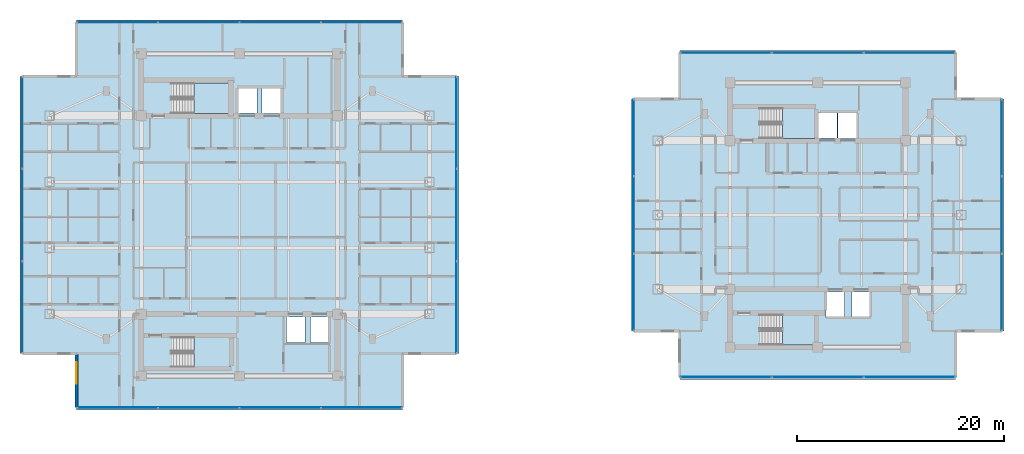
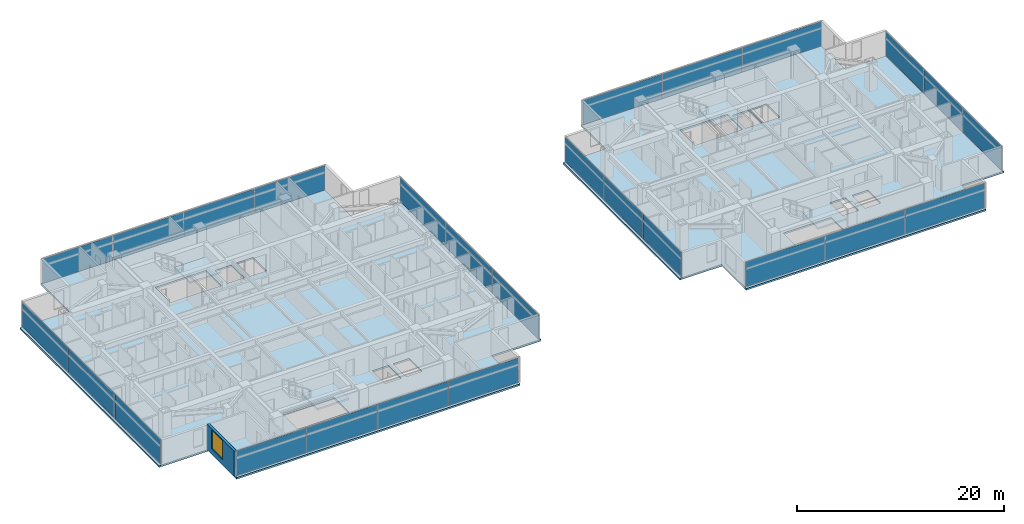
# One storey, part 12 of 26: 26 plates, 6 slabs, 1 wall, 1 window, 1 opening, 12 elements without a shape of their own.
"""IFC4 building model written with IfcOpenShell, lengths in metres."""

from ifc_helpers import new_model, si_unit, direction, frame, frame_2d, origin, origin_2d, place, context, subcontext, project, spatial, polyline, rectangle, outline, extrude, material, layer, layer_set, type_object, element, fill, aggregate, save


model = new_model("IFC4")

# Units and contexts
model_context = context("Model", 3, precision=1e-05, world=origin(), true_north=direction((0.0, 1.0)))
body_context = subcontext(model_context, "Body", "Model", "MODEL_VIEW")
ifc_project = project(units=[si_unit("LENGTHUNIT", "METRE"), si_unit("AREAUNIT", "SQUARE_METRE"), si_unit("VOLUMEUNIT", "CUBIC_METRE"), si_unit("PLANEANGLEUNIT", "RADIAN"), si_unit("MASSUNIT", "GRAM", prefix="KILO")], contexts=[model_context])

# Site, building, storey
site_placement = place(None, origin())
site = spatial("IfcSite", under=ifc_project, at=site_placement, CompositionType="ELEMENT")
building_placement = place(site_placement, origin())
building = spatial("IfcBuilding", under=site, at=building_placement, Name="Mirazonda Arch Towers", CompositionType="ELEMENT")
storey_placement = place(building_placement, frame((0.0, 0.0, 170.64990234375)))
storey = spatial("IfcBuildingStorey", under=building, at=storey_placement, Name="L48", CompositionType="ELEMENT", Elevation=170.64990234375)

# Curtain wall, plates
ifc_material_1 = material(Name="Anodised Aluminium and Low-E Glass", Category="aluminium")
curtain_wall_type = type_object("IfcCurtainWallType", Name="CW-RES-UNIT", PredefinedType="NOTDEFINED", material=ifc_material_1)
curtain_wall_1_placement = place(storey_placement, origin())
curtain_wall_1 = element("IfcCurtainWall", 1, at=curtain_wall_1_placement, inside=storey, type_object=curtain_wall_type, Name="L48 T1 S Facade CW-L48-T1-S", PredefinedType="NOTDEFINED")
ifc_material_2 = material(Name="Insulated Low-E Solar Glass", Category="glass")
ifc_layer_1 = layer(ifc_material_2, 0.0400390625, Name="PAN-CW-RES-UNIT")
ifc_layer_set_1 = layer_set([ifc_layer_1], Name="Insulated Low-E Solar Glass")
plate_type = type_object("IfcPlateType", Name="PAN-CW-RES-UNIT", PredefinedType="CURTAIN_PANEL", material=ifc_layer_set_1)
plate_1_placement = place(storey_placement, frame((32.320068359375, 9.340087890625, 0.0751953125), z_axis=(0.0, 0.0, 1.0), x_axis=(-1.0, 0.0, 0.0)))
plate_1 = element("IfcPlate", 2, at=plate_1_placement, type_object=plate_type, Name="CW-104 panel 1.1", PredefinedType="CURTAIN_PANEL", context=body_context, shape_type="SweptSolid", body=[
    extrude(rectangle(XDim=7.780029296875, YDim=0.0400390625, at=origin_2d()), origin(), (0.0, 0.0, 1.0), 2.8798828125),
])
plate_2_placement = place(storey_placement, frame((24.4462890625, 9.340087890625, 0.0751953125), z_axis=(0.0, 0.0, 1.0), x_axis=(-1.0, 0.0, 0.0)))
plate_2 = element("IfcPlate", 3, at=plate_2_placement, type_object=plate_type, Name="CW-104 panel 2.1", PredefinedType="CURTAIN_PANEL", context=body_context, shape_type="SweptSolid", body=[
    extrude(rectangle(XDim=7.8173828125, YDim=0.0400390625, at=origin_2d()), origin(), (0.0, 0.0, 1.0), 2.8798828125),
])
plate_3_placement = place(storey_placement, frame((16.5537109375, 9.340087890625, 0.0751953125), z_axis=(0.0, 0.0, 1.0), x_axis=(-1.0, 0.0, 0.0)))
plate_3 = element("IfcPlate", 4, at=plate_3_placement, type_object=plate_type, Name="CW-104 panel 3.1", PredefinedType="CURTAIN_PANEL", context=body_context, shape_type="SweptSolid", body=[
    extrude(rectangle(XDim=7.8173828125, YDim=0.0400390625, at=origin_2d()), origin(), (0.0, 0.0, 1.0), 2.8798828125),
])
plate_4_placement = place(storey_placement, frame((8.679931640625, 9.340087890625, 0.0751953125), z_axis=(0.0, 0.0, 1.0), x_axis=(-1.0, 0.0, 0.0)))
plate_4 = element("IfcPlate", 5, at=plate_4_placement, type_object=plate_type, Name="CW-104 panel 4.1", PredefinedType="CURTAIN_PANEL", context=body_context, shape_type="SweptSolid", body=[
    extrude(rectangle(XDim=7.780029296875, YDim=0.0400390625, at=origin_2d()), origin(), (0.0, 0.0, 1.0), 2.8798828125),
])
aggregate(curtain_wall_1, [plate_1, plate_2, plate_3, plate_4])

curtain_wall_2_placement = place(storey_placement, origin())
curtain_wall_2 = element("IfcCurtainWall", 6, at=curtain_wall_2_placement, inside=storey, type_object=curtain_wall_type, Name="L48 T1 E Facade CW-L48-T1-E", PredefinedType="NOTDEFINED")
plate_5_placement = place(storey_placement, frame((41.530029296875, 19.075439453125, 0.0751953125), z_axis=(0.0, 0.0, 1.0), x_axis=(0.0, 1.0, 0.0)))
plate_5 = element("IfcPlate", 7, at=plate_5_placement, type_object=plate_type, Name="CW-104 panel 1.1", PredefinedType="CURTAIN_PANEL", context=body_context, shape_type="SweptSolid", body=[
    extrude(rectangle(XDim=8.830810546875, YDim=0.0400390625, at=origin_2d()), origin(), (0.0, 0.0, 1.0), 2.8798828125),
])
plate_6_placement = place(storey_placement, frame((41.530029296875, 28.0, 0.0751953125), z_axis=(0.0, 0.0, 1.0), x_axis=(0.0, 1.0, 0.0)))
plate_6 = element("IfcPlate", 8, at=plate_6_placement, type_object=plate_type, Name="CW-104 panel 2.1", PredefinedType="CURTAIN_PANEL", context=body_context, shape_type="SweptSolid", body=[
    extrude(rectangle(XDim=8.868408203125, YDim=0.0400390625, at=origin_2d()), origin(), (0.0, 0.0, 1.0), 2.8798828125),
])
plate_7_placement = place(storey_placement, frame((41.530029296875, 36.924560546875, 0.0751953125), z_axis=(0.0, 0.0, 1.0), x_axis=(0.0, 1.0, 0.0)))
plate_7 = element("IfcPlate", 9, at=plate_7_placement, type_object=plate_type, Name="CW-104 panel 3.1", PredefinedType="CURTAIN_PANEL", context=body_context, shape_type="SweptSolid", body=[
    extrude(rectangle(XDim=8.830810546875, YDim=0.0400390625, at=origin_2d()), origin(), (0.0, 0.0, 1.0), 2.8798828125),
])
aggregate(curtain_wall_2, [plate_5, plate_6, plate_7])

curtain_wall_3_placement = place(storey_placement, origin())
curtain_wall_3 = element("IfcCurtainWall", 10, at=curtain_wall_3_placement, inside=storey, type_object=curtain_wall_type, Name="L48 T1 N Facade CW-L48-T1-N", PredefinedType="NOTDEFINED")
plate_8_placement = place(storey_placement, frame((8.679931640625, 46.659912109375, 0.0751953125), z_axis=(0.0, 0.0, 1.0), x_axis=(1.0, 0.0, 0.0)))
plate_8 = element("IfcPlate", 11, at=plate_8_placement, type_object=plate_type, Name="CW-104 panel 1.1", PredefinedType="CURTAIN_PANEL", context=body_context, shape_type="SweptSolid", body=[
    extrude(rectangle(XDim=7.780029296875, YDim=0.0400390625, at=origin_2d()), origin(), (0.0, 0.0, 1.0), 2.8798828125),
])
plate_9_placement = place(storey_placement, frame((16.5537109375, 46.659912109375, 0.0751953125), z_axis=(0.0, 0.0, 1.0), x_axis=(1.0, 0.0, 0.0)))
plate_9 = element("IfcPlate", 12, at=plate_9_placement, type_object=plate_type, Name="CW-104 panel 2.1", PredefinedType="CURTAIN_PANEL", context=body_context, shape_type="SweptSolid", body=[
    extrude(rectangle(XDim=7.8173828125, YDim=0.0400390625, at=origin_2d()), origin(), (0.0, 0.0, 1.0), 2.8798828125),
])
plate_10_placement = place(storey_placement, frame((24.4462890625, 46.659912109375, 0.0751953125), z_axis=(0.0, 0.0, 1.0), x_axis=(1.0, 0.0, 0.0)))
plate_10 = element("IfcPlate", 13, at=plate_10_placement, type_object=plate_type, Name="CW-104 panel 3.1", PredefinedType="CURTAIN_PANEL", context=body_context, shape_type="SweptSolid", body=[
    extrude(rectangle(XDim=7.8173828125, YDim=0.0400390625, at=origin_2d()), origin(), (0.0, 0.0, 1.0), 2.8798828125),
])
plate_11_placement = place(storey_placement, frame((32.320068359375, 46.659912109375, 0.0751953125), z_axis=(0.0, 0.0, 1.0), x_axis=(1.0, 0.0, 0.0)))
plate_11 = element("IfcPlate", 14, at=plate_11_placement, type_object=plate_type, Name="CW-104 panel 4.1", PredefinedType="CURTAIN_PANEL", context=body_context, shape_type="SweptSolid", body=[
    extrude(rectangle(XDim=7.780029296875, YDim=0.0400390625, at=origin_2d()), origin(), (0.0, 0.0, 1.0), 2.8798828125),
])
aggregate(curtain_wall_3, [plate_8, plate_9, plate_10, plate_11])

curtain_wall_4_placement = place(storey_placement, origin())
curtain_wall_4 = element("IfcCurtainWall", 15, at=curtain_wall_4_placement, inside=storey, type_object=curtain_wall_type, Name="L48 T1 W Facade CW-L48-T1-W", PredefinedType="NOTDEFINED")
plate_12_placement = place(storey_placement, frame((-0.530029296875, 36.924560546875, 0.0751953125), z_axis=(0.0, 0.0, 1.0), x_axis=(0.0, -1.0, 0.0)))
plate_12 = element("IfcPlate", 16, at=plate_12_placement, type_object=plate_type, Name="CW-104 panel 1.1", PredefinedType="CURTAIN_PANEL", context=body_context, shape_type="SweptSolid", body=[
    extrude(rectangle(XDim=8.830810546875, YDim=0.0400390625, at=origin_2d()), origin(), (0.0, 0.0, 1.0), 2.8798828125),
])
plate_13_placement = place(storey_placement, frame((-0.530029296875, 28.0, 0.0751953125), z_axis=(0.0, 0.0, 1.0), x_axis=(0.0, -1.0, 0.0)))
plate_13 = element("IfcPlate", 17, at=plate_13_placement, type_object=plate_type, Name="CW-104 panel 2.1", PredefinedType="CURTAIN_PANEL", context=body_context, shape_type="SweptSolid", body=[
    extrude(rectangle(XDim=8.868408203125, YDim=0.0400390625, at=origin_2d()), origin(), (0.0, 0.0, 1.0), 2.8798828125),
])
plate_14_placement = place(storey_placement, frame((-0.530029296875, 19.075439453125, 0.0751953125), z_axis=(0.0, 0.0, 1.0), x_axis=(0.0, -1.0, 0.0)))
plate_14 = element("IfcPlate", 18, at=plate_14_placement, type_object=plate_type, Name="CW-104 panel 3.1", PredefinedType="CURTAIN_PANEL", context=body_context, shape_type="SweptSolid", body=[
    extrude(rectangle(XDim=8.830810546875, YDim=0.0400390625, at=origin_2d()), origin(), (0.0, 0.0, 1.0), 2.8798828125),
])
aggregate(curtain_wall_4, [plate_12, plate_13, plate_14])

curtain_wall_5_placement = place(storey_placement, origin())
curtain_wall_5 = element("IfcCurtainWall", 19, at=curtain_wall_5_placement, inside=storey, type_object=curtain_wall_type, Name="L48 T2 S Facade CW-L48-T2-S", PredefinedType="NOTDEFINED")
plate_15_placement = place(storey_placement, frame((85.38623046875, 12.2919921875, 0.0751953125), z_axis=(0.0, 0.0, 1.0), x_axis=(-1.0, 0.0, 0.0)))
plate_15 = element("IfcPlate", 20, at=plate_15_placement, type_object=plate_type, Name="CW-104 panel 1.1", PredefinedType="CURTAIN_PANEL", context=body_context, shape_type="SweptSolid", body=[
    extrude(rectangle(XDim=8.79248046875, YDim=0.0400390625, at=origin_2d()), origin(), (0.0, 0.0, 1.0), 2.8798828125),
])
plate_16_placement = place(storey_placement, frame((76.5, 12.2919921875, 0.0751953125), z_axis=(0.0, 0.0, 1.0), x_axis=(-1.0, 0.0, 0.0)))
plate_16 = element("IfcPlate", 21, at=plate_16_placement, type_object=plate_type, Name="CW-104 panel 2.1", PredefinedType="CURTAIN_PANEL", context=body_context, shape_type="SweptSolid", body=[
    extrude(rectangle(XDim=8.829833984375, YDim=0.0400390625, at=origin_2d()), origin(), (0.0, 0.0, 1.0), 2.8798828125),
])
plate_17_placement = place(storey_placement, frame((67.61376953125, 12.2919921875, 0.0751953125), z_axis=(0.0, 0.0, 1.0), x_axis=(-1.0, 0.0, 0.0)))
plate_17 = element("IfcPlate", 22, at=plate_17_placement, type_object=plate_type, Name="CW-104 panel 3.1", PredefinedType="CURTAIN_PANEL", context=body_context, shape_type="SweptSolid", body=[
    extrude(rectangle(XDim=8.79248046875, YDim=0.0400390625, at=origin_2d()), origin(), (0.0, 0.0, 1.0), 2.8798828125),
])
aggregate(curtain_wall_5, [plate_15, plate_16, plate_17])

curtain_wall_6_placement = place(storey_placement, origin())
curtain_wall_6 = element("IfcCurtainWall", 23, at=curtain_wall_6_placement, inside=storey, type_object=curtain_wall_type, Name="L48 T2 E Facade CW-L48-T2-E", PredefinedType="NOTDEFINED")
plate_18_placement = place(storey_placement, frame((94.322509765625, 20.5234375, 0.0751953125), z_axis=(0.0, 0.0, 1.0), x_axis=(0.0, 1.0, 0.0)))
plate_18 = element("IfcPlate", 24, at=plate_18_placement, type_object=plate_type, Name="CW-104 panel 1.1", PredefinedType="CURTAIN_PANEL", context=body_context, shape_type="SweptSolid", body=[
    extrude(rectangle(XDim=7.3828125, YDim=0.0400390625, at=origin_2d()), origin(), (0.0, 0.0, 1.0), 2.8798828125),
])
plate_19_placement = place(storey_placement, frame((94.322509765625, 28.0, 0.0751953125), z_axis=(0.0, 0.0, 1.0), x_axis=(0.0, 1.0, 0.0)))
plate_19 = element("IfcPlate", 25, at=plate_19_placement, type_object=plate_type, Name="CW-104 panel 2.1", PredefinedType="CURTAIN_PANEL", context=body_context, shape_type="SweptSolid", body=[
    extrude(rectangle(XDim=7.420166015625, YDim=0.0400390625, at=origin_2d()), origin(), (0.0, 0.0, 1.0), 2.8798828125),
])
plate_20_placement = place(storey_placement, frame((94.322509765625, 35.4765625, 0.0751953125), z_axis=(0.0, 0.0, 1.0), x_axis=(0.0, 1.0, 0.0)))
plate_20 = element("IfcPlate", 26, at=plate_20_placement, type_object=plate_type, Name="CW-104 panel 3.1", PredefinedType="CURTAIN_PANEL", context=body_context, shape_type="SweptSolid", body=[
    extrude(rectangle(XDim=7.3828125, YDim=0.0400390625, at=origin_2d()), origin(), (0.0, 0.0, 1.0), 2.8798828125),
])
aggregate(curtain_wall_6, [plate_18, plate_19, plate_20])

curtain_wall_7_placement = place(storey_placement, origin())
curtain_wall_7 = element("IfcCurtainWall", 27, at=curtain_wall_7_placement, inside=storey, type_object=curtain_wall_type, Name="L48 T2 N Facade CW-L48-T2-N", PredefinedType="NOTDEFINED")
plate_21_placement = place(storey_placement, frame((67.61376953125, 43.7080078125, 0.0751953125), z_axis=(0.0, 0.0, 1.0), x_axis=(1.0, 0.0, 0.0)))
plate_21 = element("IfcPlate", 28, at=plate_21_placement, type_object=plate_type, Name="CW-104 panel 1.1", PredefinedType="CURTAIN_PANEL", context=body_context, shape_type="SweptSolid", body=[
    extrude(rectangle(XDim=8.79248046875, YDim=0.0400390625, at=origin_2d()), origin(), (0.0, 0.0, 1.0), 2.8798828125),
])
plate_22_placement = place(storey_placement, frame((76.5, 43.7080078125, 0.0751953125), z_axis=(0.0, 0.0, 1.0), x_axis=(1.0, 0.0, 0.0)))
plate_22 = element("IfcPlate", 29, at=plate_22_placement, type_object=plate_type, Name="CW-104 panel 2.1", PredefinedType="CURTAIN_PANEL", context=body_context, shape_type="SweptSolid", body=[
    extrude(rectangle(XDim=8.829833984375, YDim=0.0400390625, at=origin_2d()), origin(), (0.0, 0.0, 1.0), 2.8798828125),
])
plate_23_placement = place(storey_placement, frame((85.38623046875, 43.7080078125, 0.0751953125), z_axis=(0.0, 0.0, 1.0), x_axis=(1.0, 0.0, 0.0)))
plate_23 = element("IfcPlate", 30, at=plate_23_placement, type_object=plate_type, Name="CW-104 panel 3.1", PredefinedType="CURTAIN_PANEL", context=body_context, shape_type="SweptSolid", body=[
    extrude(rectangle(XDim=8.79248046875, YDim=0.0400390625, at=origin_2d()), origin(), (0.0, 0.0, 1.0), 2.8798828125),
])
aggregate(curtain_wall_7, [plate_21, plate_22, plate_23])

curtain_wall_8_placement = place(storey_placement, origin())
curtain_wall_8 = element("IfcCurtainWall", 31, at=curtain_wall_8_placement, inside=storey, type_object=curtain_wall_type, Name="L48 T2 W Facade CW-L48-T2-W", PredefinedType="NOTDEFINED")
plate_24_placement = place(storey_placement, frame((58.677490234375, 35.4765625, 0.0751953125), z_axis=(0.0, 0.0, 1.0), x_axis=(0.0, -1.0, 0.0)))
plate_24 = element("IfcPlate", 32, at=plate_24_placement, type_object=plate_type, Name="CW-104 panel 1.1", PredefinedType="CURTAIN_PANEL", context=body_context, shape_type="SweptSolid", body=[
    extrude(rectangle(XDim=7.3828125, YDim=0.0400390625, at=origin_2d()), origin(), (0.0, 0.0, 1.0), 2.8798828125),
])
plate_25_placement = place(storey_placement, frame((58.677490234375, 28.0, 0.0751953125), z_axis=(0.0, 0.0, 1.0), x_axis=(0.0, -1.0, 0.0)))
plate_25 = element("IfcPlate", 33, at=plate_25_placement, type_object=plate_type, Name="CW-104 panel 2.1", PredefinedType="CURTAIN_PANEL", context=body_context, shape_type="SweptSolid", body=[
    extrude(rectangle(XDim=7.420166015625, YDim=0.0400390625, at=origin_2d()), origin(), (0.0, 0.0, 1.0), 2.8798828125),
])
plate_26_placement = place(storey_placement, frame((58.677490234375, 20.5234375, 0.0751953125), z_axis=(0.0, 0.0, 1.0), x_axis=(0.0, -1.0, 0.0)))
plate_26 = element("IfcPlate", 34, at=plate_26_placement, type_object=plate_type, Name="CW-104 panel 3.1", PredefinedType="CURTAIN_PANEL", context=body_context, shape_type="SweptSolid", body=[
    extrude(rectangle(XDim=7.3828125, YDim=0.0400390625, at=origin_2d()), origin(), (0.0, 0.0, 1.0), 2.8798828125),
])
aggregate(curtain_wall_8, [plate_24, plate_25, plate_26])

# Stair, slab
ifc_material_3 = material(Name="Concrete C40/50", Category="concrete")
stair_type = type_object("IfcStairType", Name="STAIR-CORE-1400", PredefinedType="HALF_TURN_STAIR", material=ifc_material_3)
stair_1_placement = place(storey_placement, origin())
stair_1 = element("IfcStair", 35, at=stair_1_placement, inside=storey, type_object=stair_type, Name="L48 Protected Exit Stair ST-T1N", PredefinedType="HALF_TURN_STAIR")
ifc_layer_2 = layer(ifc_material_3, 0.18994140625, Name="SLAB-LANDING-190")
ifc_layer_set_2 = layer_set([ifc_layer_2], Name="Concrete C40/50")
slab_type_1 = type_object("IfcSlabType", Name="SLAB-LANDING-190", PredefinedType="LANDING", material=ifc_layer_set_2)
slab_1_placement = place(storey_placement, frame((0.0, 0.0, 1.425048828125)))
slab_1 = element("IfcSlab", 36, at=slab_1_placement, type_object=slab_type_1, Name="ST-T1N landing 1", PredefinedType="LANDING", context=body_context, shape_type="SweptSolid", body=[
    extrude(outline(polyline([(16.090087890625, 37.820068359375), (19.60009765625, 37.820068359375), (19.60009765625, 40.760009765625), (16.090087890625, 40.760009765625), (16.090087890625, 37.820068359375)])), origin(), (0.0, 0.0, 1.0), 0.199951171875),
])
aggregate(stair_1, [slab_1])

stair_2_placement = place(storey_placement, origin())
stair_2 = element("IfcStair", 37, at=stair_2_placement, inside=storey, type_object=stair_type, Name="L48 Protected Exit Stair ST-T1S", PredefinedType="HALF_TURN_STAIR")
slab_2_placement = place(storey_placement, frame((0.0, 0.0, 1.425048828125)))
slab_2 = element("IfcSlab", 38, at=slab_2_placement, type_object=slab_type_1, Name="ST-T1S landing 1", PredefinedType="LANDING", context=body_context, shape_type="SweptSolid", body=[
    extrude(outline(polyline([(16.090087890625, 13.25), (19.60009765625, 13.25), (19.60009765625, 16.18994140625), (16.090087890625, 16.18994140625), (16.090087890625, 13.25)])), origin(), (0.0, 0.0, 1.0), 0.199951171875),
])
aggregate(stair_2, [slab_2])

stair_3_placement = place(storey_placement, origin())
stair_3 = element("IfcStair", 39, at=stair_3_placement, inside=storey, type_object=stair_type, Name="L48 Protected Exit Stair ST-T2N", PredefinedType="HALF_TURN_STAIR")
slab_3_placement = place(storey_placement, frame((0.0, 0.0, 1.425048828125)))
slab_3 = element("IfcSlab", 40, at=slab_3_placement, type_object=slab_type_1, Name="ST-T2N landing 1", PredefinedType="LANDING", context=body_context, shape_type="SweptSolid", body=[
    extrude(outline(polyline([(73.090087890625, 35.419921875), (76.22998046875, 35.419921875), (76.22998046875, 38.360107421875), (73.090087890625, 38.360107421875), (73.090087890625, 35.419921875)])), origin(), (0.0, 0.0, 1.0), 0.199951171875),
])
aggregate(stair_3, [slab_3])

stair_4_placement = place(storey_placement, origin())
stair_4 = element("IfcStair", 41, at=stair_4_placement, inside=storey, type_object=stair_type, Name="L48 Protected Exit Stair ST-T2S", PredefinedType="HALF_TURN_STAIR")
slab_4_placement = place(storey_placement, frame((0.0, 0.0, 1.425048828125)))
slab_4 = element("IfcSlab", 42, at=slab_4_placement, type_object=slab_type_1, Name="ST-T2S landing 1", PredefinedType="LANDING", context=body_context, shape_type="SweptSolid", body=[
    extrude(outline(polyline([(73.090087890625, 15.419921875), (76.22998046875, 15.419921875), (76.22998046875, 18.360107421875), (73.090087890625, 18.360107421875), (73.090087890625, 15.419921875)])), origin(), (0.0, 0.0, 1.0), 0.199951171875),
])
aggregate(stair_4, [slab_4])

# Slabs
ifc_layer_3 = layer(ifc_material_3, 0.199951171875, Name="SLAB-TWR-200")
ifc_layer_set_3 = layer_set([ifc_layer_3], Name="Concrete C40/50")
slab_type_2 = type_object("IfcSlabType", Name="SLAB-TWR-200", PredefinedType="FLOOR", material=ifc_layer_set_3)
slab_5_placement = place(storey_placement, frame((0.0, 0.0, -0.199951171875)))
element("IfcSlab", 43, at=slab_5_placement, inside=storey, type_object=slab_type_2, Name="L48 Tower 1 Floor Slab", PredefinedType="FLOOR", context=body_context, shape_type="SweptSolid", body=[
    extrude(outline(polyline([(4.715087890625, 9.1201171875), (36.284912109375, 9.1201171875), (36.284912109375, 14.5849609375), (41.75, 14.5849609375), (41.75, 41.4150390625), (36.284912109375, 41.4150390625), (36.284912109375, 46.8798828125), (4.715087890625, 46.8798828125), (4.715087890625, 41.4150390625), (-0.75, 41.4150390625), (-0.75, 14.5849609375), (4.715087890625, 14.5849609375), (4.715087890625, 9.1201171875)]), holes=[polyline([(27.360107421875, 18.139892578125), (29.139892578125, 18.139892578125), (29.139892578125, 15.659912109375), (27.360107421875, 15.659912109375), (27.360107421875, 18.139892578125)]), polyline([(25.06005859375, 18.139892578125), (26.840087890625, 18.139892578125), (26.840087890625, 15.659912109375), (25.06005859375, 15.659912109375), (25.06005859375, 18.139892578125)]), polyline([(22.7099609375, 40.389892578125), (24.590087890625, 40.389892578125), (24.590087890625, 37.81005859375), (22.7099609375, 37.81005859375), (22.7099609375, 40.389892578125)]), polyline([(20.31005859375, 37.860107421875), (20.31005859375, 40.340087890625), (22.18994140625, 40.340087890625), (22.18994140625, 37.860107421875), (20.31005859375, 37.860107421875)]), polyline([(19.60009765625, 13.25), (13.925048828125, 13.25), (13.925048828125, 16.18994140625), (19.60009765625, 16.18994140625), (19.60009765625, 13.25)]), polyline([(13.925048828125, 37.820068359375), (13.925048828125, 40.760009765625), (19.60009765625, 40.760009765625), (19.60009765625, 37.820068359375), (13.925048828125, 37.820068359375)])]), origin(), (0.0, 0.0, 1.0), 0.199951171875),
])
slab_6_placement = place(storey_placement, frame((0.0, 0.0, -0.199951171875)))
element("IfcSlab", 44, at=slab_6_placement, inside=storey, type_object=slab_type_2, Name="L48 Tower 2 Floor Slab", PredefinedType="FLOOR", context=body_context, shape_type="SweptSolid", body=[
    extrude(outline(polyline([(63.142578125, 12.072021484375), (89.857421875, 12.072021484375), (89.857421875, 16.757080078125), (94.54248046875, 16.757080078125), (94.54248046875, 39.242919921875), (89.857421875, 39.242919921875), (89.857421875, 43.927978515625), (63.142578125, 43.927978515625), (63.142578125, 39.242919921875), (58.45751953125, 39.242919921875), (58.45751953125, 16.757080078125), (63.142578125, 16.757080078125), (63.142578125, 12.072021484375)]), holes=[polyline([(79.81005859375, 20.5400390625), (81.590087890625, 20.5400390625), (81.590087890625, 18.06005859375), (79.81005859375, 18.06005859375), (79.81005859375, 20.5400390625)]), polyline([(78.47998046875, 37.989990234375), (80.360107421875, 37.989990234375), (80.360107421875, 35.409912109375), (78.47998046875, 35.409912109375), (78.47998046875, 37.989990234375)]), polyline([(77.31005859375, 20.5400390625), (79.090087890625, 20.5400390625), (79.090087890625, 18.06005859375), (77.31005859375, 18.06005859375), (77.31005859375, 20.5400390625)]), polyline([(76.510009765625, 35.4599609375), (76.510009765625, 37.93994140625), (78.389892578125, 37.93994140625), (78.389892578125, 35.4599609375), (76.510009765625, 35.4599609375)]), polyline([(76.22998046875, 15.419921875), (70.925048828125, 15.419921875), (70.925048828125, 18.360107421875), (76.22998046875, 18.360107421875), (76.22998046875, 15.419921875)]), polyline([(70.925048828125, 35.419921875), (70.925048828125, 38.360107421875), (76.22998046875, 38.360107421875), (76.22998046875, 35.419921875), (70.925048828125, 35.419921875)])]), origin(), (0.0, 0.0, 1.0), 0.199951171875),
])

# Wall, opening, window
ifc_material_4 = material(Name="Precast Concrete C40/50", Category="concrete")
ifc_layer_4 = layer(ifc_material_4, 0.280029296875, Name="WALL-EXT-WALL-280")
ifc_layer_set_4 = layer_set([ifc_layer_4], Name="Precast Concrete C40/50")
wall_type = type_object("IfcWallType", Name="WALL-EXT-WALL-280", PredefinedType="SOLIDWALL", material=ifc_layer_set_4)
wall_placement = place(storey_placement, frame((4.715087890625, 14.5849609375, 0.0), z_axis=(0.0, 0.0, 1.0), x_axis=(0.0, -1.0, 0.0)))
wall = element("IfcWall", 45, at=wall_placement, inside=storey, type_object=wall_type, Name="L48 T1 Notched SW Corner Wall WL-L48-T1-CSW", PredefinedType="SOLIDWALL", context=body_context, shape_type="SweptSolid", body=[
    extrude(rectangle(XDim=5.244873046875, YDim=0.280029296875, at=frame_2d((2.62255859375, 0.0))), origin(), (0.0, 0.0, 1.0), 3.030029296875),
])
opening_placement = place(wall_placement, frame((0.85009765625, 0.0, 0.679931640625)))
opening = element("IfcOpeningElement", 46, at=opening_placement, cuts=wall, Name="Opening WN-117", PredefinedType="OPENING", context=body_context, shape_type="SweptSolid", body=[
    extrude(rectangle(XDim=2.10009765625, YDim=2.199951171875, at=frame_2d((1.050048828125, 1.10009765625))), frame((0.0, 0.14990234375, 0.0), z_axis=(0.0, -1.0, 0.0), x_axis=(1.0, 0.0, 0.0)), (0.0, 0.0, 1.0), 0.300048828125),
])
window_type = type_object("IfcWindowType", Name="WIN-RES-2100x2200", PartitioningType="SINGLE_PANEL", PredefinedType="WINDOW", material=ifc_material_2)
window_placement = place(opening_placement, origin())
window = element("IfcWindow", 47, at=window_placement, inside=storey, type_object=window_type, Name="L48 Punched Facade Window WN-L48-T1-CSW", OverallHeight=2.199951171875, OverallWidth=2.10009765625, PartitioningType="SINGLE_PANEL", PredefinedType="WINDOW", context=body_context, shape_type="SweptSolid", body=[
    extrude(rectangle(XDim=2.10009765625, YDim=2.199951171875, at=frame_2d((1.050048828125, 1.10009765625))), frame((0.0, 0.030029296875, 0.0), z_axis=(0.0, -1.0, 0.0), x_axis=(1.0, 0.0, 0.0)), (0.0, 0.0, 1.0), 0.06005859375),
])
fill(opening, window)

save(model, "model.ifc")
